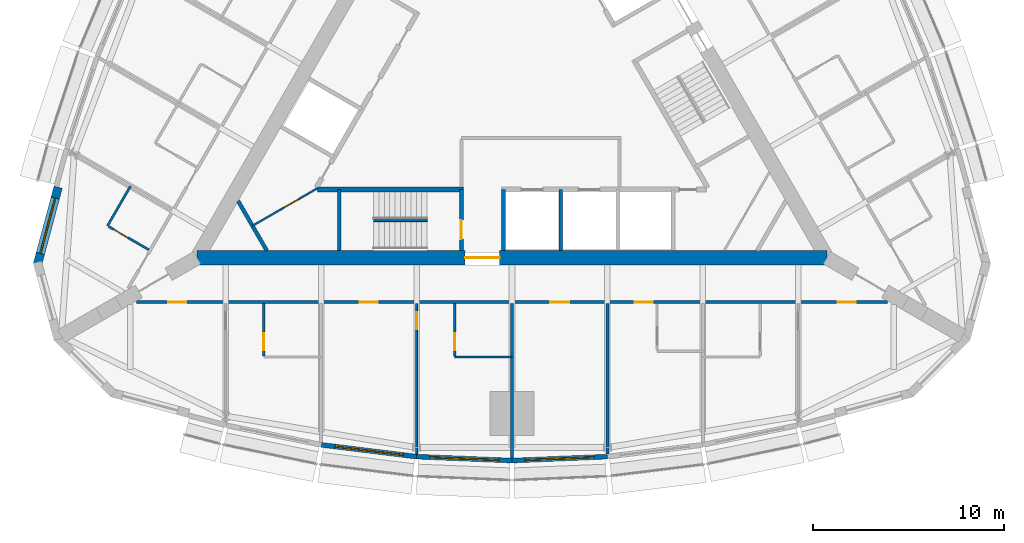
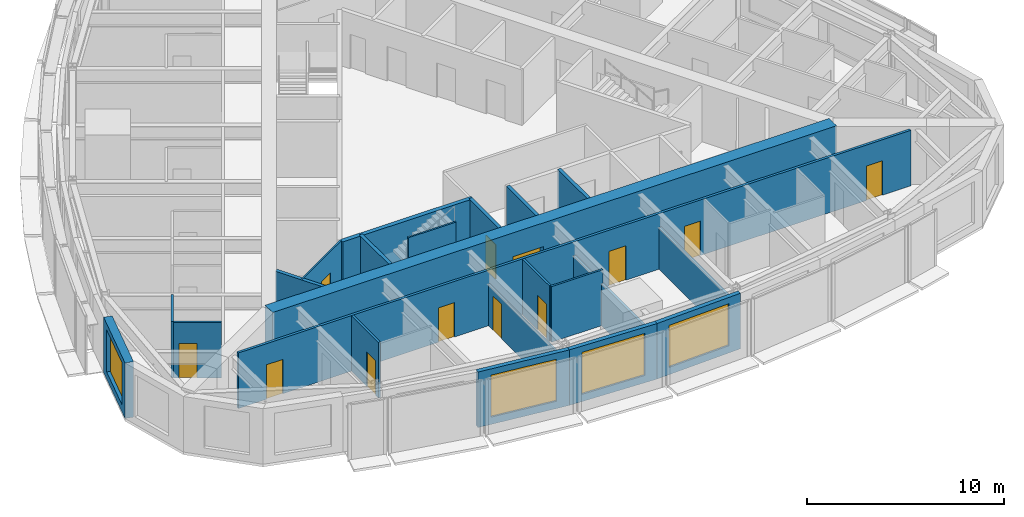
# One storey, part 9 of 15: 22 walls, 12 doors, 4 windows, 16 openings.
"""IFC4 building model written with IfcOpenShell, lengths in metres."""

from ifc_helpers import new_model, si_unit, direction, frame, frame_2d, origin, place, context, subcontext, project, spatial, rectangle, extrude, material, layer, layer_set, type_object, element, fill, save


model = new_model("IFC4")

# Units and contexts
model_context = context("Model", 3, precision=1e-05, world=origin(), true_north=direction((0.0, 1.0)))
body_context = subcontext(model_context, "Body", "Model", "MODEL_VIEW")
ifc_project = project(units=[si_unit("LENGTHUNIT", "METRE"), si_unit("AREAUNIT", "SQUARE_METRE"), si_unit("VOLUMEUNIT", "CUBIC_METRE"), si_unit("PLANEANGLEUNIT", "RADIAN"), si_unit("MASSUNIT", "GRAM", prefix="KILO")], contexts=[model_context])

# Site, building, storey
site_placement = place(None, origin())
site = spatial("IfcSite", under=ifc_project, at=site_placement, CompositionType="ELEMENT")
building_placement = place(site_placement, origin())
building = spatial("IfcBuilding", under=site, at=building_placement, Name="Trikona Tower", CompositionType="ELEMENT")
storey_placement = place(building_placement, frame((0.0, 0.0, 211.699951171875)))
storey = spatial("IfcBuildingStorey", under=building, at=storey_placement, Name="L56", CompositionType="ELEMENT", Elevation=211.699951171875)

# Wall, opening, door
ifc_material_1 = material(Name="Metal stud and cement board", Category="gypsum")
ifc_layer_1 = layer(ifc_material_1, 0.1201171875)
ifc_layer_set_1 = layer_set([ifc_layer_1], Name="Bathroom wall 120")
wall_type_1 = type_object("IfcWallType", Name="Bathroom wall 120", PredefinedType="PLUMBINGWALL", material=ifc_layer_set_1)
wall_1_placement = place(storey_placement, frame((-13.0, -11.92626953125, 0.0), z_axis=(0.0, 0.0, 1.0), x_axis=(0.0, -1.0, 0.0)))
wall_1 = element("IfcWall", 1, at=wall_1_placement, inside=storey, type_object=wall_type_1, Name="Bathroom wall 5601.1", PredefinedType="PLUMBINGWALL", context=body_context, shape_type="SweptSolid", body=[
    extrude(rectangle(XDim=2.739990234375, YDim=0.1201171875, at=frame_2d((1.3701171875, 0.0))), origin(), (0.0, 0.0, 1.0), 3.43505859375),
])
opening_1_placement = place(wall_1_placement, frame((1.550048828125, 0.0, 0.0)))
opening_1 = element("IfcOpeningElement", 2, at=opening_1_placement, cuts=wall_1, Name="Opening D2", PredefinedType="OPENING", context=body_context, shape_type="SweptSolid", body=[
    extrude(rectangle(XDim=0.89990234375, YDim=2.1298828125, at=frame_2d((0.449951171875, 1.06494140625))), frame((0.0, 0.070068359375, 0.0), z_axis=(0.0, -1.0, 0.0), x_axis=(1.0, 0.0, 0.0)), (0.0, 0.0, 1.0), 0.14013671875),
])
ifc_material_2 = material(Name="Steel door frame with solid-core timber leaf", Category="steel")
door_type_1 = type_object("IfcDoorType", Name="Bathroom door 900x2130", OperationType="SLIDING_TO_LEFT", PredefinedType="DOOR", material=ifc_material_2)
door_1_placement = place(opening_1_placement, origin())
door_1 = element("IfcDoor", 3, at=door_1_placement, inside=storey, type_object=door_type_1, Name="Bathroom door 5601.1", OperationType="SLIDING_TO_LEFT", OverallHeight=2.1298828125, OverallWidth=0.89990234375, PredefinedType="DOOR", context=body_context, shape_type="SweptSolid", body=[
    extrude(rectangle(XDim=0.89990234375, YDim=2.1298828125, at=frame_2d((0.449951171875, 1.06494140625))), frame((0.0, 0.02490234375, 0.0), z_axis=(0.0, -1.0, 0.0), x_axis=(1.0, 0.0, 0.0)), (0.0, 0.0, 1.0), 0.050048828125),
])
fill(opening_1, door_1)

# Wall
wall_2_placement = place(storey_placement, frame((-3.0, -14.726318359375, 0.0), z_axis=(0.0, 0.0, 1.0), x_axis=(1.0, 0.0, 0.0)))
element("IfcWall", 4, at=wall_2_placement, inside=storey, type_object=wall_type_1, Name="Bathroom wall 5602.1", PredefinedType="PLUMBINGWALL", context=body_context, shape_type="SweptSolid", body=[
    extrude(rectangle(XDim=3.0, YDim=0.1201171875, at=frame_2d((1.5, 0.0))), origin(), (0.0, 0.0, 1.0), 3.43505859375),
])

# Wall, opening, door
wall_3_placement = place(storey_placement, frame((-3.0, -11.92626953125, 0.0), z_axis=(0.0, 0.0, 1.0), x_axis=(0.0, -1.0, 0.0)))
wall_3 = element("IfcWall", 5, at=wall_3_placement, inside=storey, type_object=wall_type_1, Name="Bathroom wall 5602.1", PredefinedType="PLUMBINGWALL", context=body_context, shape_type="SweptSolid", body=[
    extrude(rectangle(XDim=2.739990234375, YDim=0.1201171875, at=frame_2d((1.3701171875, 0.0))), origin(), (0.0, 0.0, 1.0), 3.43505859375),
])
opening_2_placement = place(wall_3_placement, frame((1.550048828125, 0.0, 0.0)))
opening_2 = element("IfcOpeningElement", 6, at=opening_2_placement, cuts=wall_3, Name="Opening D2", PredefinedType="OPENING", context=body_context, shape_type="SweptSolid", body=[
    extrude(rectangle(XDim=0.89990234375, YDim=2.1298828125, at=frame_2d((0.449951171875, 1.06494140625))), frame((0.0, 0.070068359375, 0.0), z_axis=(0.0, -1.0, 0.0), x_axis=(1.0, 0.0, 0.0)), (0.0, 0.0, 1.0), 0.14013671875),
])
door_2_placement = place(opening_2_placement, origin())
door_2 = element("IfcDoor", 7, at=door_2_placement, inside=storey, type_object=door_type_1, Name="Bathroom door 5602.1", OperationType="SLIDING_TO_LEFT", OverallHeight=2.1298828125, OverallWidth=0.89990234375, PredefinedType="DOOR", context=body_context, shape_type="SweptSolid", body=[
    extrude(rectangle(XDim=0.89990234375, YDim=2.1298828125, at=frame_2d((0.449951171875, 1.06494140625))), frame((0.0, 0.02490234375, 0.0), z_axis=(0.0, -1.0, 0.0), x_axis=(1.0, 0.0, 0.0)), (0.0, 0.0, 1.0), 0.050048828125),
])
fill(opening_2, door_2)

# Wall
wall_4_placement = place(storey_placement, frame((-19.993408203125, -5.777099609375, 0.0), z_axis=(0.0, 0.0, 1.0), x_axis=(-0.500033551112, -0.866006032174, 0.0)))
element("IfcWall", 8, at=wall_4_placement, inside=storey, type_object=wall_type_1, Name="Bathroom wall 5616", PredefinedType="PLUMBINGWALL", context=body_context, shape_type="SweptSolid", body=[
    extrude(rectangle(XDim=2.400146484375, YDim=0.1201171875, at=frame_2d((1.2001953125, 0.0))), origin(), (0.0, 0.0, 1.0), 3.43505859375),
])

# Wall, opening, door
wall_5_placement = place(storey_placement, frame((-19.028564453125, -9.105712890625, 0.0), z_axis=(0.0, 0.0, 1.0), x_axis=(-0.866023955769, 0.500002508028, 0.0)))
wall_5 = element("IfcWall", 9, at=wall_5_placement, inside=storey, type_object=wall_type_1, Name="Bathroom wall 5616", PredefinedType="PLUMBINGWALL", context=body_context, shape_type="SweptSolid", body=[
    extrude(rectangle(XDim=2.43994140625, YDim=0.1201171875, at=frame_2d((1.219970703125, 0.0))), origin(), (0.0, 0.0, 1.0), 3.43505859375),
])
opening_3_placement = place(wall_5_placement, frame((1.25, 0.0, 0.0)))
opening_3 = element("IfcOpeningElement", 10, at=opening_3_placement, cuts=wall_5, Name="Opening D2", PredefinedType="OPENING", context=body_context, shape_type="SweptSolid", body=[
    extrude(rectangle(XDim=0.89990234375, YDim=2.1298828125, at=frame_2d((0.449951171875, 1.06494140625))), frame((0.0, 0.070068359375, 0.0), z_axis=(0.0, -1.0, 0.0), x_axis=(1.0, 0.0, 0.0)), (0.0, 0.0, 1.0), 0.14013671875),
])
door_3_placement = place(opening_3_placement, origin())
door_3 = element("IfcDoor", 11, at=door_3_placement, inside=storey, type_object=door_type_1, Name="Bathroom door 5616", OperationType="SLIDING_TO_LEFT", OverallHeight=2.1298828125, OverallWidth=0.89990234375, PredefinedType="DOOR", context=body_context, shape_type="SweptSolid", body=[
    extrude(rectangle(XDim=0.89990234375, YDim=2.1298828125, at=frame_2d((0.449951171875, 1.06494140625))), frame((0.0, 0.02490234375, 0.0), z_axis=(0.0, -1.0, 0.0), x_axis=(1.0, 0.0, 0.0)), (0.0, 0.0, 1.0), 0.050048828125),
])
fill(opening_3, door_3)

# Wall, opening, window
ifc_material_3 = material(Name="Brick-faced precast concrete", Category="masonry")
ifc_layer_2 = layer(ifc_material_3, 0.449951171875)
ifc_layer_set_2 = layer_set([ifc_layer_2], Name="Brick-faced corner wall 450")
wall_type_2 = type_object("IfcWallType", Name="Brick-faced corner wall 450", PredefinedType="SOLIDWALL", material=ifc_layer_set_2)
wall_6_placement = place(storey_placement, frame((-23.78271484375, -5.831787109375, 0.0), z_axis=(0.0, 0.0, 1.0), x_axis=(-0.258784695888, -0.965935029479, 0.0)))
wall_6 = element("IfcWall", 12, at=wall_6_placement, inside=storey, type_object=wall_type_2, Name="External wall L56-32", PredefinedType="SOLIDWALL", context=body_context, shape_type="SweptSolid", body=[
    extrude(rectangle(XDim=4.18408203125, YDim=0.449951171875, at=frame_2d((2.092041015625, 0.0))), origin(), (0.0, 0.0, 1.0), 3.43505859375),
])
opening_4_placement = place(wall_6_placement, frame((0.592041015625, 0.0, 0.449951171875)))
opening_4 = element("IfcOpeningElement", 13, at=opening_4_placement, cuts=wall_6, Name="Opening W3026", PredefinedType="OPENING", context=body_context, shape_type="SweptSolid", body=[
    extrude(rectangle(XDim=3.0, YDim=2.60009765625, at=frame_2d((1.5, 1.300048828125))), frame((0.0, 0.23486328125, 0.0), z_axis=(0.0, -1.0, 0.0), x_axis=(1.0, 0.0, 0.0)), (0.0, 0.0, 1.0), 0.469970703125),
])
ifc_material_4 = material(Name="Aluminium-framed double glazing", Category="aluminium")
window_type_1 = type_object("IfcWindowType", Name="Window 3000x2600", PartitioningType="SINGLE_PANEL", PredefinedType="WINDOW", material=ifc_material_4)
window_1_placement = place(opening_4_placement, origin())
window_1 = element("IfcWindow", 14, at=window_1_placement, inside=storey, type_object=window_type_1, Name="Window 5616", OverallHeight=2.60009765625, OverallWidth=3.0, PartitioningType="SINGLE_PANEL", PredefinedType="WINDOW", context=body_context, shape_type="SweptSolid", body=[
    extrude(rectangle(XDim=3.0, YDim=2.60009765625, at=frame_2d((1.5, 1.300048828125))), frame((0.0, 0.030029296875, 0.0), z_axis=(0.0, -1.0, 0.0), x_axis=(1.0, 0.0, 0.0)), (0.0, 0.0, 1.0), 0.06005859375),
])
fill(opening_4, window_1)

# Wall, opening, door
ifc_material_5 = material(Name="Concrete f'c 10000 psi", Category="concrete")
ifc_layer_3 = layer(ifc_material_5, 0.75)
ifc_layer_set_3 = layer_set([ifc_layer_3], Name="Core wall 750")
wall_type_3 = type_object("IfcWallType", Name="Core wall 750", PredefinedType="SHEAR", material=ifc_layer_set_3)
wall_7_placement = place(storey_placement, frame((-16.5, -9.5263671875, 0.0), z_axis=(0.0, 0.0, 1.0), x_axis=(1.0, 0.0, 0.0)))
wall_7 = element("IfcWall", 15, at=wall_7_placement, inside=storey, type_object=wall_type_3, Name="Core wall A", PredefinedType="SHEAR", context=body_context, shape_type="SweptSolid", body=[
    extrude(rectangle(XDim=33.0, YDim=0.75, at=frame_2d((16.5, 0.0))), origin(), (0.0, 0.0, 1.0), 3.60009765625),
])
opening_5_placement = place(wall_7_placement, frame((14.050048828125, 0.0, 0.0)))
opening_5 = element("IfcOpeningElement", 16, at=opening_5_placement, cuts=wall_7, Name="Opening D6", PredefinedType="OPENING", context=body_context, shape_type="SweptSolid", body=[
    extrude(rectangle(XDim=1.800048828125, YDim=2.1298828125, at=frame_2d((0.89990234375, 1.06494140625))), frame((0.0, 0.385009765625, 0.0), z_axis=(0.0, -1.0, 0.0), x_axis=(1.0, 0.0, 0.0)), (0.0, 0.0, 1.0), 0.77001953125),
])
ifc_material_6 = material(Name="Hollow metal door and frame", Category="steel")
door_type_2 = type_object("IfcDoorType", Name="Lobby door pair 1800x2130", OperationType="DOUBLE_DOOR_SINGLE_SWING", PredefinedType="DOOR", material=ifc_material_6)
door_4_placement = place(opening_5_placement, origin())
door_4 = element("IfcDoor", 17, at=door_4_placement, inside=storey, type_object=door_type_2, Name="Fire service lift lobby door", OperationType="DOUBLE_DOOR_SINGLE_SWING", OverallHeight=2.1298828125, OverallWidth=1.800048828125, PredefinedType="DOOR", context=body_context, shape_type="SweptSolid", body=[
    extrude(rectangle(XDim=1.800048828125, YDim=2.1298828125, at=frame_2d((0.89990234375, 1.06494140625))), frame((0.0, 0.02490234375, 0.0), z_axis=(0.0, -1.0, 0.0), x_axis=(1.0, 0.0, 0.0)), (0.0, 0.0, 1.0), 0.050048828125),
])
fill(opening_5, door_4)

# Wall, openings, doors
ifc_material_7 = material(Name="Metal stud and gypsum board, 1-hour", Category="gypsum")
ifc_layer_4 = layer(ifc_material_7, 0.14990234375)
ifc_layer_set_4 = layer_set([ifc_layer_4], Name="Corridor wall 150")
wall_type_4 = type_object("IfcWallType", Name="Corridor wall 150", PredefinedType="PARTITIONING", material=ifc_layer_set_4)
wall_8_placement = place(storey_placement, frame((-19.677001953125, -11.851318359375, 0.0), z_axis=(0.0, 0.0, 1.0), x_axis=(1.0, 0.0, 0.0)))
wall_8 = element("IfcWall", 18, at=wall_8_placement, inside=storey, type_object=wall_type_4, Name="Corridor wall L56-1", PredefinedType="PARTITIONING", context=body_context, shape_type="SweptSolid", body=[
    extrude(rectangle(XDim=39.35400390625, YDim=0.14990234375, at=frame_2d((19.677001953125, 0.0))), origin(), (0.0, 0.0, 1.0), 3.43505859375),
])
opening_6_placement = place(wall_8_placement, frame((1.6650390625, 0.0, 0.0)))
opening_6 = element("IfcOpeningElement", 19, at=opening_6_placement, cuts=wall_8, Name="Opening D1", PredefinedType="OPENING", context=body_context, shape_type="SweptSolid", body=[
    extrude(rectangle(XDim=0.949951171875, YDim=2.1298828125, at=frame_2d((0.47509765625, 1.06494140625))), frame((0.0, 0.0849609375, 0.0), z_axis=(0.0, -1.0, 0.0), x_axis=(1.0, 0.0, 0.0)), (0.0, 0.0, 1.0), 0.169921875),
])
opening_7_placement = place(wall_8_placement, frame((11.701904296875, 0.0, 0.0)))
opening_7 = element("IfcOpeningElement", 20, at=opening_7_placement, cuts=wall_8, Name="Opening D1", PredefinedType="OPENING", context=body_context, shape_type="SweptSolid", body=[
    extrude(rectangle(XDim=0.949951171875, YDim=2.1298828125, at=frame_2d((0.47509765625, 1.06494140625))), frame((0.0, 0.0849609375, 0.0), z_axis=(0.0, -1.0, 0.0), x_axis=(1.0, 0.0, 0.0)), (0.0, 0.0, 1.0), 0.169921875),
])
opening_8_placement = place(wall_8_placement, frame((21.677001953125, 0.0, 0.0)))
opening_8 = element("IfcOpeningElement", 21, at=opening_8_placement, cuts=wall_8, Name="Opening D3", PredefinedType="OPENING", context=body_context, shape_type="SweptSolid", body=[
    extrude(rectangle(XDim=1.0, YDim=2.1298828125, at=frame_2d((0.5, 1.06494140625))), frame((0.0, 0.0849609375, 0.0), z_axis=(0.0, -1.0, 0.0), x_axis=(1.0, 0.0, 0.0)), (0.0, 0.0, 1.0), 0.169921875),
])
opening_9_placement = place(wall_8_placement, frame((26.10205078125, 0.0, 0.0)))
opening_9 = element("IfcOpeningElement", 22, at=opening_9_placement, cuts=wall_8, Name="Opening D1", PredefinedType="OPENING", context=body_context, shape_type="SweptSolid", body=[
    extrude(rectangle(XDim=0.949951171875, YDim=2.1298828125, at=frame_2d((0.47509765625, 1.06494140625))), frame((0.0, 0.0849609375, 0.0), z_axis=(0.0, -1.0, 0.0), x_axis=(1.0, 0.0, 0.0)), (0.0, 0.0, 1.0), 0.169921875),
])
opening_10_placement = place(wall_8_placement, frame((36.739013671875, 0.0, 0.0)))
opening_10 = element("IfcOpeningElement", 23, at=opening_10_placement, cuts=wall_8, Name="Opening D1", PredefinedType="OPENING", context=body_context, shape_type="SweptSolid", body=[
    extrude(rectangle(XDim=0.949951171875, YDim=2.1298828125, at=frame_2d((0.47509765625, 1.06494140625))), frame((0.0, 0.0849609375, 0.0), z_axis=(0.0, -1.0, 0.0), x_axis=(1.0, 0.0, 0.0)), (0.0, 0.0, 1.0), 0.169921875),
])
ifc_material_8 = material(Name="Steel door frame with solid-core timber leaf", Category="steel")
door_type_3 = type_object("IfcDoorType", Name="Guest room door 950x2130", OperationType="SINGLE_SWING_LEFT", PredefinedType="DOOR", material=ifc_material_8)
door_5_placement = place(opening_6_placement, origin())
door_5 = element("IfcDoor", 24, at=door_5_placement, inside=storey, type_object=door_type_3, Name="Room door 5601", OperationType="SINGLE_SWING_LEFT", OverallHeight=2.1298828125, OverallWidth=0.949951171875, PredefinedType="DOOR", context=body_context, shape_type="SweptSolid", body=[
    extrude(rectangle(XDim=0.949951171875, YDim=2.1298828125, at=frame_2d((0.47509765625, 1.06494140625))), frame((0.0, 0.02490234375, 0.0), z_axis=(0.0, -1.0, 0.0), x_axis=(1.0, 0.0, 0.0)), (0.0, 0.0, 1.0), 0.050048828125),
])
fill(opening_6, door_5)
door_6_placement = place(opening_7_placement, origin())
door_6 = element("IfcDoor", 25, at=door_6_placement, inside=storey, type_object=door_type_3, Name="Room door 5602", OperationType="SINGLE_SWING_RIGHT", OverallHeight=2.1298828125, OverallWidth=0.949951171875, PredefinedType="DOOR", context=body_context, shape_type="SweptSolid", body=[
    extrude(rectangle(XDim=0.949951171875, YDim=2.1298828125, at=frame_2d((0.47509765625, 1.06494140625))), frame((0.0, 0.02490234375, 0.0), z_axis=(0.0, -1.0, 0.0), x_axis=(1.0, 0.0, 0.0)), (0.0, 0.0, 1.0), 0.050048828125),
])
fill(opening_7, door_6)
door_7_placement = place(opening_9_placement, origin())
door_7 = element("IfcDoor", 26, at=door_7_placement, inside=storey, type_object=door_type_3, Name="Room door 5603", OperationType="SINGLE_SWING_RIGHT", OverallHeight=2.1298828125, OverallWidth=0.949951171875, PredefinedType="DOOR", context=body_context, shape_type="SweptSolid", body=[
    extrude(rectangle(XDim=0.949951171875, YDim=2.1298828125, at=frame_2d((0.47509765625, 1.06494140625))), frame((0.0, 0.02490234375, 0.0), z_axis=(0.0, -1.0, 0.0), x_axis=(1.0, 0.0, 0.0)), (0.0, 0.0, 1.0), 0.050048828125),
])
fill(opening_9, door_7)
door_8_placement = place(opening_10_placement, origin())
door_8 = element("IfcDoor", 27, at=door_8_placement, inside=storey, type_object=door_type_3, Name="Room door 5604", OperationType="SINGLE_SWING_RIGHT", OverallHeight=2.1298828125, OverallWidth=0.949951171875, PredefinedType="DOOR", context=body_context, shape_type="SweptSolid", body=[
    extrude(rectangle(XDim=0.949951171875, YDim=2.1298828125, at=frame_2d((0.47509765625, 1.06494140625))), frame((0.0, 0.02490234375, 0.0), z_axis=(0.0, -1.0, 0.0), x_axis=(1.0, 0.0, 0.0)), (0.0, 0.0, 1.0), 0.050048828125),
])
fill(opening_10, door_8)
ifc_material_9 = material(Name="Steel door frame with solid-core timber leaf", Category="steel")
door_type_4 = type_object("IfcDoorType", Name="Room door 1000x2130", OperationType="SINGLE_SWING_LEFT", PredefinedType="DOOR", material=ifc_material_9)
door_9_placement = place(opening_8_placement, origin())
door_9 = element("IfcDoor", 28, at=door_9_placement, inside=storey, type_object=door_type_4, Name="Door Housekeeping pantry", OperationType="SINGLE_SWING_LEFT", OverallHeight=2.1298828125, OverallWidth=1.0, PredefinedType="DOOR", context=body_context, shape_type="SweptSolid", body=[
    extrude(rectangle(XDim=1.0, YDim=2.1298828125, at=frame_2d((0.5, 1.06494140625))), frame((0.0, 0.02490234375, 0.0), z_axis=(0.0, -1.0, 0.0), x_axis=(1.0, 0.0, 0.0)), (0.0, 0.0, 1.0), 0.050048828125),
])
fill(opening_8, door_9)

# Wall
ifc_material_10 = material(Name="Concrete f'c 8000 psi", Category="concrete")
ifc_layer_5 = layer(ifc_material_10, 0.25)
ifc_layer_set_5 = layer_set([ifc_layer_5], Name="Hub wall 250")
wall_type_5 = type_object("IfcWallType", Name="Hub wall 250", PredefinedType="SOLIDWALL", material=ifc_layer_set_5)
wall_9_placement = place(storey_placement, frame((-10.182861328125, -5.951416015625, 0.0), z_axis=(0.0, 0.0, 1.0), x_axis=(1.0, 0.0, 0.0)))
element("IfcWall", 29, at=wall_9_placement, inside=storey, type_object=wall_type_5, Name="Lift lobby wall A1", PredefinedType="SOLIDWALL", context=body_context, shape_type="SweptSolid", body=[
    extrude(rectangle(XDim=7.6328125, YDim=0.25, at=frame_2d((3.81640625, 0.0))), origin(), (0.0, 0.0, 1.0), 3.43505859375),
])

# Wall, opening, window
ifc_material_11 = material(Name="Insulated precast concrete spandrel panel", Category="concrete")
ifc_layer_6 = layer(ifc_material_11, 0.25)
ifc_layer_set_6 = layer_set([ifc_layer_6], Name="Inner skin wall 250")
wall_type_6 = type_object("IfcWallType", Name="Inner skin wall 250", PredefinedType="STANDARD", material=ifc_layer_set_6)
wall_10_placement = place(storey_placement, frame((-9.984619140625, -19.330078125, 0.0), z_axis=(0.0, 0.0, 1.0), x_axis=(0.992449874964, -0.12265090984, 0.0)))
wall_10 = element("IfcWall", 30, at=wall_10_placement, inside=storey, type_object=wall_type_6, Name="External wall L56-02", PredefinedType="STANDARD", context=body_context, shape_type="SweptSolid", body=[
    extrude(rectangle(XDim=5.0380859375, YDim=0.25, at=frame_2d((2.51904296875, 0.0))), origin(), (0.0, 0.0, 1.0), 3.43505859375),
])
opening_11_placement = place(wall_10_placement, frame((0.718994140625, 0.0, 0.449951171875)))
opening_11 = element("IfcOpeningElement", 31, at=opening_11_placement, cuts=wall_10, Name="Opening W3626", PredefinedType="OPENING", context=body_context, shape_type="SweptSolid", body=[
    extrude(rectangle(XDim=3.60009765625, YDim=2.60009765625, at=frame_2d((1.800048828125, 1.300048828125))), frame((0.0, 0.135009765625, 0.0), z_axis=(0.0, -1.0, 0.0), x_axis=(1.0, 0.0, 0.0)), (0.0, 0.0, 1.0), 0.27001953125),
])
ifc_material_12 = material(Name="Aluminium-framed double glazing", Category="aluminium")
window_type_2 = type_object("IfcWindowType", Name="Window 3600x2600", PartitioningType="SINGLE_PANEL", PredefinedType="WINDOW", material=ifc_material_12)
window_2_placement = place(opening_11_placement, origin())
window_2 = element("IfcWindow", 32, at=window_2_placement, inside=storey, type_object=window_type_2, Name="Window 5602", OverallHeight=2.60009765625, OverallWidth=3.60009765625, PartitioningType="SINGLE_PANEL", PredefinedType="WINDOW", context=body_context, shape_type="SweptSolid", body=[
    extrude(rectangle(XDim=3.60009765625, YDim=2.60009765625, at=frame_2d((1.800048828125, 1.300048828125))), frame((0.0, 0.030029296875, 0.0), z_axis=(0.0, -1.0, 0.0), x_axis=(1.0, 0.0, 0.0)), (0.0, 0.0, 1.0), 0.06005859375),
])
fill(opening_11, window_2)

wall_11_placement = place(storey_placement, frame((-4.994873046875, -19.947021484375, 0.0), z_axis=(0.0, 0.0, 1.0), x_axis=(0.999151909423, -0.041175986892, 0.0)))
wall_11 = element("IfcWall", 33, at=wall_11_placement, inside=storey, type_object=wall_type_6, Name="External wall L56-03", PredefinedType="STANDARD", context=body_context, shape_type="SweptSolid", body=[
    extrude(rectangle(XDim=5.004150390625, YDim=0.25, at=frame_2d((2.501953125, 0.0))), origin(), (0.0, 0.0, 1.0), 3.43505859375),
])
opening_12_placement = place(wall_11_placement, frame((0.7021484375, 0.0, 0.449951171875)))
opening_12 = element("IfcOpeningElement", 34, at=opening_12_placement, cuts=wall_11, Name="Opening W3626", PredefinedType="OPENING", context=body_context, shape_type="SweptSolid", body=[
    extrude(rectangle(XDim=3.60009765625, YDim=2.60009765625, at=frame_2d((1.800048828125, 1.300048828125))), frame((0.0, 0.135009765625, 0.0), z_axis=(0.0, -1.0, 0.0), x_axis=(1.0, 0.0, 0.0)), (0.0, 0.0, 1.0), 0.27001953125),
])
window_3_placement = place(opening_12_placement, origin())
window_3 = element("IfcWindow", 35, at=window_3_placement, inside=storey, type_object=window_type_2, Name="Window 5602.1", OverallHeight=2.60009765625, OverallWidth=3.60009765625, PartitioningType="SINGLE_PANEL", PredefinedType="WINDOW", context=body_context, shape_type="SweptSolid", body=[
    extrude(rectangle(XDim=3.60009765625, YDim=2.60009765625, at=frame_2d((1.800048828125, 1.300048828125))), frame((0.0, 0.030029296875, 0.0), z_axis=(0.0, -1.0, 0.0), x_axis=(1.0, 0.0, 0.0)), (0.0, 0.0, 1.0), 0.06005859375),
])
fill(opening_12, window_3)

wall_12_placement = place(storey_placement, frame((-0.005126953125, -20.153076171875, 0.0), z_axis=(0.0, 0.0, 1.0), x_axis=(0.999151909423, 0.041175986892, 0.0)))
wall_12 = element("IfcWall", 36, at=wall_12_placement, inside=storey, type_object=wall_type_6, Name="External wall L56-04", PredefinedType="STANDARD", context=body_context, shape_type="SweptSolid", body=[
    extrude(rectangle(XDim=5.004150390625, YDim=0.25, at=frame_2d((2.501953125, 0.0))), origin(), (0.0, 0.0, 1.0), 3.43505859375),
])
opening_13_placement = place(wall_12_placement, frame((0.7021484375, 0.0, 0.449951171875)))
opening_13 = element("IfcOpeningElement", 37, at=opening_13_placement, cuts=wall_12, Name="Opening W3626", PredefinedType="OPENING", context=body_context, shape_type="SweptSolid", body=[
    extrude(rectangle(XDim=3.60009765625, YDim=2.60009765625, at=frame_2d((1.800048828125, 1.300048828125))), frame((0.0, 0.135009765625, 0.0), z_axis=(0.0, -1.0, 0.0), x_axis=(1.0, 0.0, 0.0)), (0.0, 0.0, 1.0), 0.27001953125),
])
window_4_placement = place(opening_13_placement, origin())
window_4 = element("IfcWindow", 38, at=window_4_placement, inside=storey, type_object=window_type_2, Name="Window L56-HKP", OverallHeight=2.60009765625, OverallWidth=3.60009765625, PartitioningType="SINGLE_PANEL", PredefinedType="WINDOW", context=body_context, shape_type="SweptSolid", body=[
    extrude(rectangle(XDim=3.60009765625, YDim=2.60009765625, at=frame_2d((1.800048828125, 1.300048828125))), frame((0.0, 0.030029296875, 0.0), z_axis=(0.0, -1.0, 0.0), x_axis=(1.0, 0.0, 0.0)), (0.0, 0.0, 1.0), 0.06005859375),
])
fill(opening_13, window_4)

# Walls
ifc_material_13 = material(Name="Metal stud and gypsum board, 1-hour acoustic", Category="gypsum")
ifc_layer_7 = layer(ifc_material_13, 0.14990234375)
ifc_layer_set_7 = layer_set([ifc_layer_7], Name="Party wall 150")
wall_type_7 = type_object("IfcWallType", Name="Party wall 150", PredefinedType="PARTITIONING", material=ifc_layer_set_7)
wall_13_placement = place(storey_placement, frame((0.0, -11.92626953125, 0.0), z_axis=(0.0, 0.0, 1.0), x_axis=(0.0, -1.0, 0.0)))
element("IfcWall", 39, at=wall_13_placement, inside=storey, type_object=wall_type_7, Name="Partition L56 F1 u0", PredefinedType="PARTITIONING", context=body_context, shape_type="SweptSolid", body=[
    extrude(rectangle(XDim=8.101318359375, YDim=0.14990234375, at=frame_2d((4.05078125, 0.0))), origin(), (0.0, 0.0, 1.0), 2.58935546875),
])
wall_14_placement = place(storey_placement, frame((5.0, -11.92626953125, 0.0), z_axis=(0.0, 0.0, 1.0), x_axis=(0.0, -1.0, 0.0)))
element("IfcWall", 40, at=wall_14_placement, inside=storey, type_object=wall_type_7, Name="Partition L56 F1 u5", PredefinedType="PARTITIONING", context=body_context, shape_type="SweptSolid", body=[
    extrude(rectangle(XDim=7.893798828125, YDim=0.14990234375, at=frame_2d((3.94677734375, 0.0))), origin(), (0.0, 0.0, 1.0), 2.58935546875),
])
ifc_material_14 = material(Name="Concrete f'c 8000 psi", Category="concrete")
ifc_layer_8 = layer(ifc_material_14, 0.199951171875)
ifc_layer_set_8 = layer_set([ifc_layer_8], Name="Shaft wall 200")
wall_type_8 = type_object("IfcWallType", Name="Shaft wall 200", PredefinedType="SOLIDWALL", material=ifc_layer_set_8)
for number, where, z_axis, x_axis, name in (
    (41, (-0.449951171875, -5.951416015625, 0.0), (0.0, 0.0, 1.0), (0.0, -1.0, 0.0), "Shaft wall A3"),
    (42, (2.550048828125, -5.951416015625, 0.0), (0.0, 0.0, 1.0), (0.0, -1.0, 0.0), "Shaft wall A4"),
):
    element("IfcWall", number, at=place(storey_placement, frame(where, z_axis=z_axis, x_axis=x_axis)), inside=storey, type_object=wall_type_8, Name=name, PredefinedType="SOLIDWALL", context=body_context, shape_type="SweptSolid", body=[
        extrude(rectangle(XDim=3.199951171875, YDim=0.199951171875, at=frame_2d((1.60009765625, 0.0))), origin(), (0.0, 0.0, 1.0), 3.43505859375),
    ])
wall_15_placement = place(storey_placement, frame((-12.848388671875, -9.1513671875, 0.0), z_axis=(0.0, 0.0, 1.0), x_axis=(-0.499952404951, 0.866052881055, 0.0)))
element("IfcWall", 43, at=wall_15_placement, inside=storey, type_object=wall_type_8, Name="Riser wall L56-RS3", PredefinedType="SOLIDWALL", context=body_context, shape_type="SweptSolid", body=[
    extrude(rectangle(XDim=3.002197265625, YDim=0.199951171875, at=frame_2d((1.5009765625, 0.0))), origin(), (0.0, 0.0, 1.0), 3.43505859375),
])
ifc_material_15 = material(Name="Concrete f'c 8000 psi", Category="concrete")
ifc_layer_9 = layer(ifc_material_15, 0.199951171875)
ifc_layer_set_9 = layer_set([ifc_layer_9], Name="Shaft wall 200 load-bearing")
wall_type_9 = type_object("IfcWallType", Name="Shaft wall 200 load-bearing", PredefinedType="SOLIDWALL", material=ifc_layer_set_9)
wall_16_placement = place(storey_placement, frame((-9.050048828125, -5.951416015625, 0.0), z_axis=(0.0, 0.0, 1.0), x_axis=(0.0, -1.0, 0.0)))
element("IfcWall", 44, at=wall_16_placement, inside=storey, type_object=wall_type_9, Name="Shaft wall A1", PredefinedType="SOLIDWALL", context=body_context, shape_type="SweptSolid", body=[
    extrude(rectangle(XDim=3.199951171875, YDim=0.199951171875, at=frame_2d((1.60009765625, 0.0))), origin(), (0.0, 0.0, 1.0), 3.43505859375),
])

# Wall, opening, door
wall_17_placement = place(storey_placement, frame((-2.64990234375, -5.951416015625, 0.0), z_axis=(0.0, 0.0, 1.0), x_axis=(0.0, -1.0, 0.0)))
wall_17 = element("IfcWall", 45, at=wall_17_placement, inside=storey, type_object=wall_type_9, Name="Shaft wall A2", PredefinedType="SOLIDWALL", context=body_context, shape_type="SweptSolid", body=[
    extrude(rectangle(XDim=3.199951171875, YDim=0.199951171875, at=frame_2d((1.60009765625, 0.0))), origin(), (0.0, 0.0, 1.0), 3.43505859375),
])
opening_14_placement = place(wall_17_placement, frame((1.60009765625, 0.0, 0.0)))
opening_14 = element("IfcOpeningElement", 46, at=opening_14_placement, cuts=wall_17, Name="Opening D5", PredefinedType="OPENING", context=body_context, shape_type="SweptSolid", body=[
    extrude(rectangle(XDim=1.0, YDim=2.1298828125, at=frame_2d((0.5, 1.06494140625))), frame((0.0, 0.10986328125, 0.0), z_axis=(0.0, -1.0, 0.0), x_axis=(1.0, 0.0, 0.0)), (0.0, 0.0, 1.0), 0.219970703125),
])
ifc_material_16 = material(Name="Hollow metal door and frame", Category="steel")
door_type_5 = type_object("IfcDoorType", Name="Stair door 1000x2130", OperationType="SINGLE_SWING_LEFT", PredefinedType="DOOR", material=ifc_material_16)
door_10_placement = place(opening_14_placement, origin())
door_10 = element("IfcDoor", 47, at=door_10_placement, inside=storey, type_object=door_type_5, Name="Stair A door", OperationType="SINGLE_SWING_RIGHT", OverallHeight=2.1298828125, OverallWidth=1.0, PredefinedType="DOOR", context=body_context, shape_type="SweptSolid", body=[
    extrude(rectangle(XDim=1.0, YDim=2.1298828125, at=frame_2d((0.5, 1.06494140625))), frame((0.0, 0.02490234375, 0.0), z_axis=(0.0, -1.0, 0.0), x_axis=(1.0, 0.0, 0.0)), (0.0, 0.0, 1.0), 0.050048828125),
])
fill(opening_14, door_10)

# Wall
ifc_material_17 = material(Name="Concrete f'c 5000 psi", Category="concrete")
ifc_layer_10 = layer(ifc_material_17, 0.10009765625)
ifc_layer_set_10 = layer_set([ifc_layer_10], Name="Stair spine wall 100")
wall_type_10 = type_object("IfcWallType", Name="Stair spine wall 100", PredefinedType="SOLIDWALL", material=ifc_layer_set_10)
wall_18_placement = place(storey_placement, frame((-7.2470703125, -7.576416015625, 0.0), z_axis=(0.0, 0.0, 1.0), x_axis=(1.0, 0.0, 0.0)))
element("IfcWall", 48, at=wall_18_placement, inside=storey, type_object=wall_type_10, Name="Stair A spine wall L56", PredefinedType="SOLIDWALL", context=body_context, shape_type="SweptSolid", body=[
    extrude(rectangle(XDim=2.794189453125, YDim=0.10009765625, at=frame_2d((1.39697265625, 0.0))), origin(), (0.0, 0.0, 1.0), 3.60009765625),
])

# Wall, opening, door
ifc_material_18 = material(Name="Metal stud and gypsum board, acoustic", Category="gypsum")
ifc_layer_11 = layer(ifc_material_18, 0.10009765625)
ifc_layer_set_11 = layer_set([ifc_layer_11], Name="Suite partition 100")
wall_type_11 = type_object("IfcWallType", Name="Suite partition 100", PredefinedType="PARTITIONING", material=ifc_layer_set_11)
wall_19_placement = place(storey_placement, frame((-5.0, -11.92626953125, 0.0), z_axis=(0.0, 0.0, 1.0), x_axis=(0.0, -1.0, 0.0)))
wall_19 = element("IfcWall", 49, at=wall_19_placement, inside=storey, type_object=wall_type_11, Name="Suite partition L56 F1 u-5", PredefinedType="PARTITIONING", context=body_context, shape_type="SweptSolid", body=[
    extrude(rectangle(XDim=7.893798828125, YDim=0.10009765625, at=frame_2d((3.94677734375, 0.0))), origin(), (0.0, 0.0, 1.0), 2.58935546875),
])
opening_15_placement = place(wall_19_placement, frame((0.449951171875, 0.0, 0.0)))
opening_15 = element("IfcOpeningElement", 50, at=opening_15_placement, cuts=wall_19, Name="Opening D13", PredefinedType="OPENING", context=body_context, shape_type="SweptSolid", body=[
    extrude(rectangle(XDim=0.89990234375, YDim=2.1298828125, at=frame_2d((0.449951171875, 1.06494140625))), frame((0.0, 0.06005859375, 0.0), z_axis=(0.0, -1.0, 0.0), x_axis=(1.0, 0.0, 0.0)), (0.0, 0.0, 1.0), 0.1201171875),
])
ifc_material_19 = material(Name="Steel door frame with solid-core timber leaf", Category="steel")
door_type_6 = type_object("IfcDoorType", Name="Suite door 900x2130", OperationType="SINGLE_SWING_LEFT", PredefinedType="DOOR", material=ifc_material_19)
door_11_placement = place(opening_15_placement, origin())
door_11 = element("IfcDoor", 51, at=door_11_placement, inside=storey, type_object=door_type_6, Name="Suite door 5602", OperationType="SINGLE_SWING_LEFT", OverallHeight=2.1298828125, OverallWidth=0.89990234375, PredefinedType="DOOR", context=body_context, shape_type="SweptSolid", body=[
    extrude(rectangle(XDim=0.89990234375, YDim=2.1298828125, at=frame_2d((0.449951171875, 1.06494140625))), frame((0.0, 0.02490234375, 0.0), z_axis=(0.0, -1.0, 0.0), x_axis=(1.0, 0.0, 0.0)), (0.0, 0.0, 1.0), 0.050048828125),
])
fill(opening_15, door_11)

wall_20_placement = place(storey_placement, frame((-13.598876953125, -7.851318359375, 0.0), z_axis=(0.0, 0.0, 1.0), x_axis=(0.866026081073, 0.499998826899, 0.0)))
wall_20 = element("IfcWall", 52, at=wall_20_placement, inside=storey, type_object=wall_type_11, Name="Store partition L56-RS3", PredefinedType="PARTITIONING", context=body_context, shape_type="SweptSolid", body=[
    extrude(rectangle(XDim=3.92529296875, YDim=0.10009765625, at=frame_2d((1.962646484375, 0.0))), origin(), (0.0, 0.0, 1.0), 3.43505859375),
])
opening_16_placement = place(wall_20_placement, frame((1.905029296875, 0.0, 0.0)))
opening_16 = element("IfcOpeningElement", 53, at=opening_16_placement, cuts=wall_20, Name="Opening D15", PredefinedType="OPENING", context=body_context, shape_type="SweptSolid", body=[
    extrude(rectangle(XDim=0.89990234375, YDim=2.1298828125, at=frame_2d((0.449951171875, 1.06494140625))), frame((0.0, 0.06005859375, 0.0), z_axis=(0.0, -1.0, 0.0), x_axis=(1.0, 0.0, 0.0)), (0.0, 0.0, 1.0), 0.1201171875),
])
ifc_material_20 = material(Name="Steel door frame with solid-core timber leaf", Category="steel")
door_type_7 = type_object("IfcDoorType", Name="Store door 900x2130", OperationType="SINGLE_SWING_LEFT", PredefinedType="DOOR", material=ifc_material_20)
door_12_placement = place(opening_16_placement, origin())
door_12 = element("IfcDoor", 54, at=door_12_placement, inside=storey, type_object=door_type_7, Name="Door Uniform store UNF", OperationType="SINGLE_SWING_RIGHT", OverallHeight=2.1298828125, OverallWidth=0.89990234375, PredefinedType="DOOR", context=body_context, shape_type="SweptSolid", body=[
    extrude(rectangle(XDim=0.89990234375, YDim=2.1298828125, at=frame_2d((0.449951171875, 1.06494140625))), frame((0.0, 0.02490234375, 0.0), z_axis=(0.0, -1.0, 0.0), x_axis=(1.0, 0.0, 0.0)), (0.0, 0.0, 1.0), 0.050048828125),
])
fill(opening_16, door_12)

save(model, "model.ifc")
